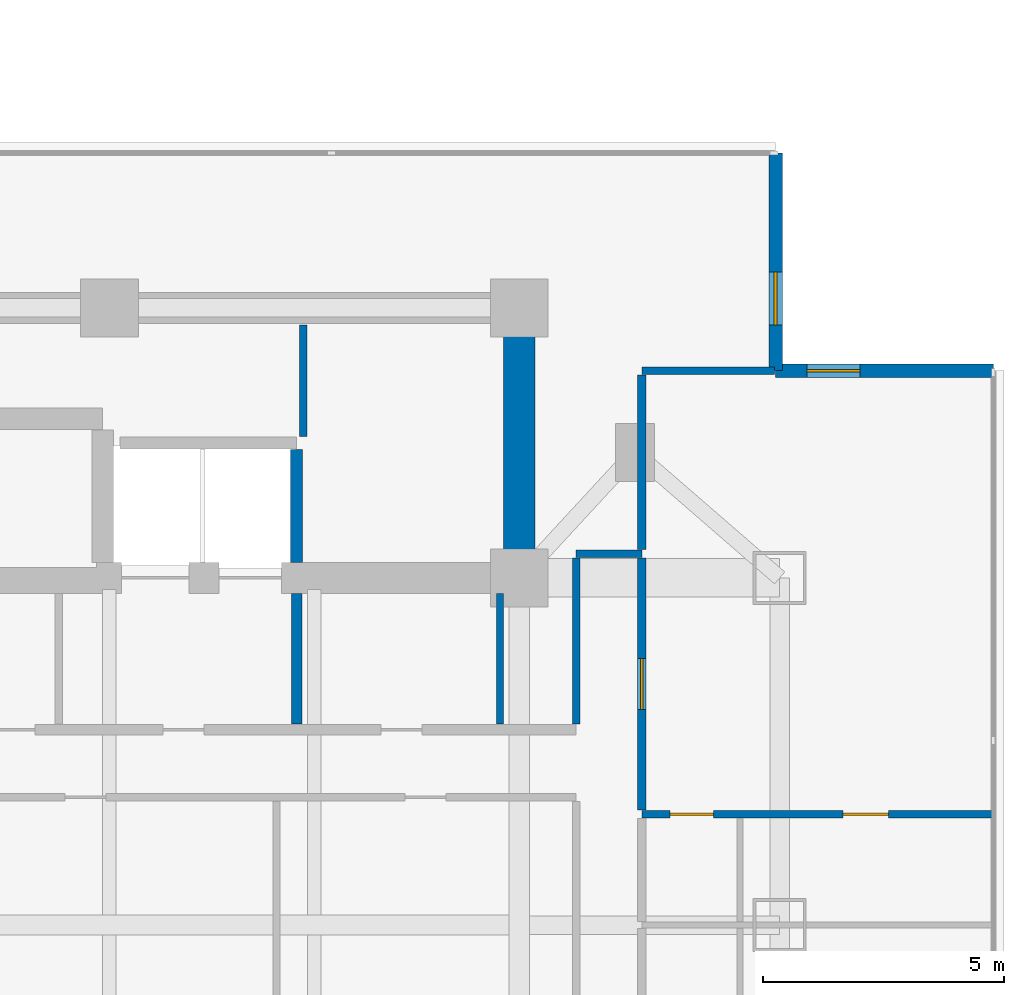
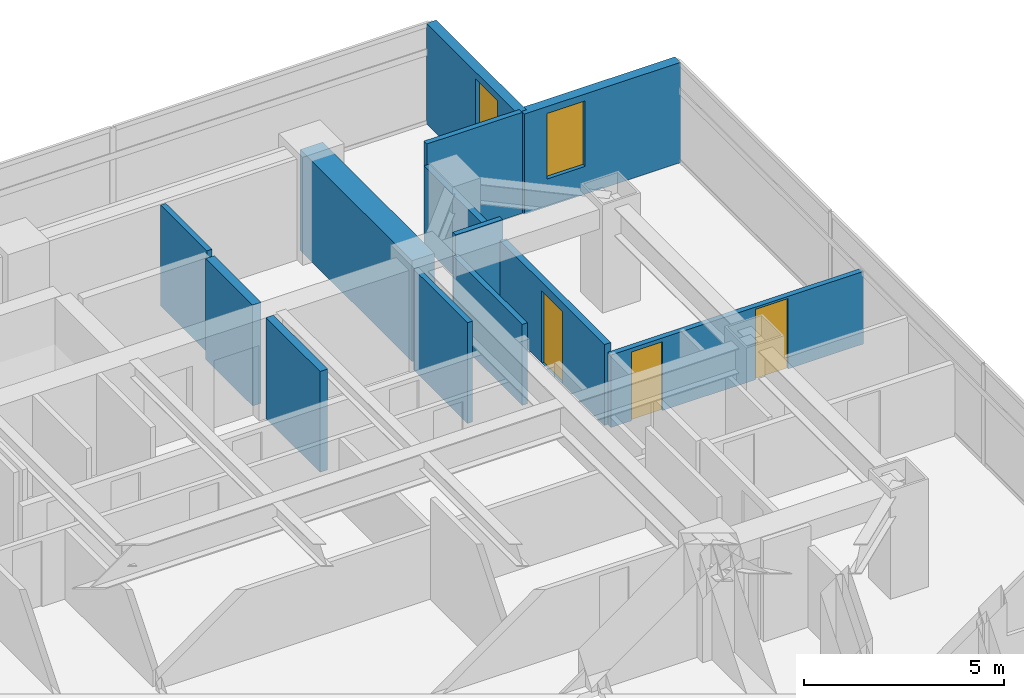
# One storey, part 18 of 25: 13 walls, 3 doors, 2 windows, 5 openings.
"""IFC4 building model written with IfcOpenShell, lengths in metres."""

from ifc_helpers import new_model, si_unit, direction, frame, frame_2d, origin, place, context, subcontext, project, spatial, rectangle, extrude, material, layer, layer_set, type_object, element, fill, save


model = new_model("IFC4")

# Units and contexts
model_context = context("Model", 3, precision=1e-05, world=origin(), true_north=direction((0.0, 1.0)))
body_context = subcontext(model_context, "Body", "Model", "MODEL_VIEW")
ifc_project = project(units=[si_unit("LENGTHUNIT", "METRE"), si_unit("AREAUNIT", "SQUARE_METRE"), si_unit("VOLUMEUNIT", "CUBIC_METRE"), si_unit("PLANEANGLEUNIT", "RADIAN"), si_unit("MASSUNIT", "GRAM", prefix="KILO")], contexts=[model_context])

# Site, building, storey
site_placement = place(None, origin())
site = spatial("IfcSite", under=ifc_project, at=site_placement, CompositionType="ELEMENT")
building_placement = place(site_placement, origin())
building = spatial("IfcBuilding", under=site, at=building_placement, Name="Mirazonda Arch Towers", CompositionType="ELEMENT")
storey_placement = place(building_placement, frame((0.0, 0.0, 104.89990234375)))
storey = spatial("IfcBuildingStorey", under=building, at=storey_placement, Name="L29", CompositionType="ELEMENT", Elevation=104.89990234375)

# Wall
ifc_material_1 = material(Name="Concrete C60/75", Category="concrete")
ifc_layer_1 = layer(ifc_material_1, 0.64990234375, Name="WALL-CORE-650")
ifc_layer_set_1 = layer_set([ifc_layer_1], Name="Concrete C60/75")
wall_type_1 = type_object("IfcWallType", Name="WALL-CORE-650", PredefinedType="SHEAR", material=ifc_layer_set_1)
wall_1_placement = place(storey_placement, frame((85.0, 35.199951171875, 0.0), z_axis=(0.0, 0.0, 1.0), x_axis=(0.0, 1.0, 0.0)))
element("IfcWall", 1, at=wall_1_placement, inside=storey, type_object=wall_type_1, Name="L29 T2N-E Core Shear Wall", PredefinedType="SHEAR", context=body_context, shape_type="SweptSolid", body=[
    extrude(rectangle(XDim=5.60009765625, YDim=0.64990234375, at=frame_2d((2.800048828125, 0.0))), origin(), (0.0, 0.0, 1.0), 3.080078125),
])

# Wall, opening, window
ifc_material_2 = material(Name="Precast Concrete C40/50", Category="concrete")
ifc_layer_2 = layer(ifc_material_2, 0.280029296875, Name="WALL-EXT-WALL-280")
ifc_layer_set_2 = layer_set([ifc_layer_2], Name="Precast Concrete C40/50")
wall_type_2 = type_object("IfcWallType", Name="WALL-EXT-WALL-280", PredefinedType="SOLIDWALL", material=ifc_layer_set_2)
wall_2_placement = place(storey_placement, frame((90.316162109375, 39.497802734375, 0.0), z_axis=(0.0, 0.0, 1.0), x_axis=(0.0, 1.0, 0.0)))
wall_2 = element("IfcWall", 2, at=wall_2_placement, inside=storey, type_object=wall_type_2, Name="L29 T2 Notched NE Corner Wall WL-L29-T2-CNE", PredefinedType="SOLIDWALL", context=body_context, shape_type="SweptSolid", body=[
    extrude(rectangle(XDim=4.51611328125, YDim=0.280029296875, at=frame_2d((2.258056640625, 0.0))), origin(), (0.0, 0.0, 1.0), 3.06005859375),
])
opening_1_placement = place(wall_2_placement, frame((0.949951171875, 0.0, 0.85009765625)))
opening_1 = element("IfcOpeningElement", 3, at=opening_1_placement, cuts=wall_2, Name="Opening WN-108", PredefinedType="OPENING", context=body_context, shape_type="SweptSolid", body=[
    extrude(rectangle(XDim=1.10009765625, YDim=2.0, at=frame_2d((0.550048828125, 1.0))), frame((0.0, 0.14990234375, 0.0), z_axis=(0.0, -1.0, 0.0), x_axis=(1.0, 0.0, 0.0)), (0.0, 0.0, 1.0), 0.300048828125),
])
ifc_material_3 = material(Name="Insulated Low-E Solar Glass", Category="glass")
window_type = type_object("IfcWindowType", Name="WIN-NOTCH-1100x2000", PartitioningType="SINGLE_PANEL", PredefinedType="WINDOW", material=ifc_material_3)
window_1_placement = place(opening_1_placement, origin())
window_1 = element("IfcWindow", 4, at=window_1_placement, inside=storey, type_object=window_type, Name="L29 Punched Facade Window WN-L29-T2-CNE", OverallHeight=2.0, OverallWidth=1.10009765625, PartitioningType="SINGLE_PANEL", PredefinedType="WINDOW", context=body_context, shape_type="SweptSolid", body=[
    extrude(rectangle(XDim=1.10009765625, YDim=2.0, at=frame_2d((0.550048828125, 1.0))), frame((0.0, 0.030029296875, 0.0), z_axis=(0.0, -1.0, 0.0), x_axis=(1.0, 0.0, 0.0)), (0.0, 0.0, 1.0), 0.06005859375),
])
fill(opening_1, window_1)

wall_3_placement = place(storey_placement, frame((94.83251953125, 39.497802734375, 0.0), z_axis=(0.0, 0.0, 1.0), x_axis=(-1.0, 0.0, 0.0)))
wall_3 = element("IfcWall", 5, at=wall_3_placement, inside=storey, type_object=wall_type_2, Name="L29 T2 Corner Notch Return Wall WL-L29-T2-CNE2", PredefinedType="SOLIDWALL", context=body_context, shape_type="SweptSolid", body=[
    extrude(rectangle(XDim=4.516357421875, YDim=0.280029296875, at=frame_2d((2.25830078125, 0.0))), origin(), (0.0, 0.0, 1.0), 3.06005859375),
])
opening_2_placement = place(wall_3_placement, frame((2.76611328125, 0.0, 0.85009765625)))
opening_2 = element("IfcOpeningElement", 6, at=opening_2_placement, cuts=wall_3, Name="Opening WN-108", PredefinedType="OPENING", context=body_context, shape_type="SweptSolid", body=[
    extrude(rectangle(XDim=1.10009765625, YDim=2.0, at=frame_2d((0.550048828125, 1.0))), frame((0.0, 0.14990234375, 0.0), z_axis=(0.0, -1.0, 0.0), x_axis=(1.0, 0.0, 0.0)), (0.0, 0.0, 1.0), 0.300048828125),
])
window_2_placement = place(opening_2_placement, origin())
window_2 = element("IfcWindow", 7, at=window_2_placement, inside=storey, type_object=window_type, Name="L29 Punched Facade Window WN-L29-T2-CNE2", OverallHeight=2.0, OverallWidth=1.10009765625, PartitioningType="SINGLE_PANEL", PredefinedType="WINDOW", context=body_context, shape_type="SweptSolid", body=[
    extrude(rectangle(XDim=1.10009765625, YDim=2.0, at=frame_2d((0.550048828125, 1.0))), frame((0.0, 0.030029296875, 0.0), z_axis=(0.0, -1.0, 0.0), x_axis=(1.0, 0.0, 0.0)), (0.0, 0.0, 1.0), 0.06005859375),
])
fill(opening_2, window_2)

# Wall
ifc_material_4 = material(Name="Concrete C40/50", Category="concrete")
ifc_layer_3 = layer(ifc_material_4, 0.219970703125, Name="WALL-FFL-220")
ifc_layer_set_3 = layer_set([ifc_layer_3], Name="Concrete C40/50")
wall_type_3 = type_object("IfcWallType", Name="WALL-FFL-220", PredefinedType="SOLIDWALL", material=ifc_layer_set_3)
wall_4_placement = place(storey_placement, frame((80.3798828125, 32.169921875, 0.0), z_axis=(0.0, 0.0, 1.0), x_axis=(0.0, 1.0, 0.0)))
element("IfcWall", 8, at=wall_4_placement, inside=storey, type_object=wall_type_3, Name="L29 Interior Partition 160", PredefinedType="SOLIDWALL", context=body_context, shape_type="SweptSolid", body=[
    extrude(rectangle(XDim=2.7099609375, YDim=0.219970703125, at=frame_2d((1.35498046875, 0.0))), origin(), (0.0, 0.0, 1.0), 3.080078125),
])

# Wall, openings, doors
ifc_material_5 = material(Name="Fire-Rated Gypsum Stud Partition")
ifc_layer_4 = layer(ifc_material_5, 0.14990234375, Name="WALL-PART-CORR-150")
ifc_layer_set_4 = layer_set([ifc_layer_4], Name="Fire-Rated Gypsum Stud Partition")
wall_type_4 = type_object("IfcWallType", Name="WALL-PART-CORR-150", PredefinedType="PARTITIONING", material=ifc_layer_set_4)
wall_5_placement = place(storey_placement, frame((87.5400390625, 30.300048828125, 0.0), z_axis=(0.0, 0.0, 1.0), x_axis=(1.0, 0.0, 0.0)))
wall_5 = element("IfcWall", 9, at=wall_5_placement, inside=storey, type_object=wall_type_4, Name="L29 Interior Partition 043", PredefinedType="PARTITIONING", context=body_context, shape_type="SweptSolid", body=[
    extrude(rectangle(XDim=7.2919921875, YDim=0.14990234375, at=frame_2d((3.64599609375, 0.0))), origin(), (0.0, 0.0, 1.0), 2.216064453125),
])
opening_3_placement = place(wall_5_placement, frame((4.1708984375, 0.0, 0.0)))
opening_3 = element("IfcOpeningElement", 10, at=opening_3_placement, cuts=wall_5, Name="Opening DR-104", PredefinedType="OPENING", context=body_context, shape_type="SweptSolid", body=[
    extrude(rectangle(XDim=0.949951171875, YDim=2.14990234375, at=frame_2d((0.47509765625, 1.074951171875))), frame((0.0, 0.0849609375, 0.0), z_axis=(0.0, -1.0, 0.0), x_axis=(1.0, 0.0, 0.0)), (0.0, 0.0, 1.0), 0.169921875),
])
opening_4_placement = place(wall_5_placement, frame((0.590087890625, 0.0, 0.0)))
opening_4 = element("IfcOpeningElement", 11, at=opening_4_placement, cuts=wall_5, Name="Opening DR-120", PredefinedType="OPENING", context=body_context, shape_type="SweptSolid", body=[
    extrude(rectangle(XDim=0.89990234375, YDim=2.10009765625, at=frame_2d((0.449951171875, 1.050048828125))), frame((0.0, 0.0849609375, 0.0), z_axis=(0.0, -1.0, 0.0), x_axis=(1.0, 0.0, 0.0)), (0.0, 0.0, 1.0), 0.169921875),
])
ifc_material_6 = material(Name="Architectural Brushed Steel S355", Category="steel")
door_type_1 = type_object("IfcDoorType", Name="DOOR-ROOM-950", OperationType="NOTDEFINED", PredefinedType="DOOR", material=ifc_material_6)
door_1_placement = place(opening_3_placement, origin())
door_1 = element("IfcDoor", 12, at=door_1_placement, inside=storey, type_object=door_type_1, Name="L29 Guestroom Study 2 Door", OperationType="SINGLE_SWING_RIGHT", OverallHeight=2.14990234375, OverallWidth=0.949951171875, PredefinedType="DOOR", context=body_context, shape_type="SweptSolid", body=[
    extrude(rectangle(XDim=0.949951171875, YDim=2.14990234375, at=frame_2d((0.47509765625, 1.074951171875))), frame((0.0, 0.02490234375, 0.0), z_axis=(0.0, -1.0, 0.0), x_axis=(1.0, 0.0, 0.0)), (0.0, 0.0, 1.0), 0.050048828125),
])
fill(opening_3, door_1)
door_type_2 = type_object("IfcDoorType", Name="DOOR-WC-900", OperationType="NOTDEFINED", PredefinedType="DOOR", material=ifc_material_6)
door_2_placement = place(opening_4_placement, origin())
door_2 = element("IfcDoor", 13, at=door_2_placement, inside=storey, type_object=door_type_2, Name="L29 En-Suite Bathroom 2 Door", OperationType="SINGLE_SWING_LEFT", OverallHeight=2.10009765625, OverallWidth=0.89990234375, PredefinedType="DOOR", context=body_context, shape_type="SweptSolid", body=[
    extrude(rectangle(XDim=0.89990234375, YDim=2.10009765625, at=frame_2d((0.449951171875, 1.050048828125))), frame((0.0, 0.02490234375, 0.0), z_axis=(0.0, -1.0, 0.0), x_axis=(1.0, 0.0, 0.0)), (0.0, 0.0, 1.0), 0.050048828125),
])
fill(opening_4, door_2)

# Walls
wall_6_placement = place(storey_placement, frame((86.179931640625, 35.699951171875, 0.0), z_axis=(0.0, 0.0, 1.0), x_axis=(1.0, 0.0, 0.0)))
element("IfcWall", 14, at=wall_6_placement, inside=storey, type_object=wall_type_4, Name="L29 Interior Partition 056", PredefinedType="PARTITIONING", context=body_context, shape_type="SweptSolid", body=[
    extrude(rectangle(XDim=1.360107421875, YDim=0.14990234375, at=frame_2d((0.68017578125, 0.0))), origin(), (0.0, 0.0, 1.0), 3.080078125),
])
wall_7_placement = place(storey_placement, frame((87.5400390625, 39.498046875, 0.0), z_axis=(0.0, 0.0, 1.0), x_axis=(1.0, 0.0, 0.0)))
element("IfcWall", 15, at=wall_7_placement, inside=storey, type_object=wall_type_4, Name="L29 Interior Partition 061", PredefinedType="PARTITIONING", context=body_context, shape_type="SweptSolid", body=[
    extrude(rectangle(XDim=2.756103515625, YDim=0.14990234375, at=frame_2d((1.3779296875, 0.0))), origin(), (0.0, 0.0, 1.0), 3.080078125),
])
wall_8_placement = place(storey_placement, frame((80.52001953125, 38.135009765625, 0.0), z_axis=(0.0, 0.0, 1.0), x_axis=(0.0, 1.0, 0.0)))
element("IfcWall", 16, at=wall_8_placement, inside=storey, type_object=wall_type_4, Name="L29 Interior Partition 162", PredefinedType="PARTITIONING", context=body_context, shape_type="SweptSolid", body=[
    extrude(rectangle(XDim=2.31494140625, YDim=0.14990234375, at=frame_2d((1.157470703125, 0.0))), origin(), (0.0, 0.0, 1.0), 3.080078125),
])
wall_9_placement = place(storey_placement, frame((84.60009765625, 32.169921875, 0.0), z_axis=(0.0, 0.0, 1.0), x_axis=(0.0, 1.0, 0.0)))
element("IfcWall", 17, at=wall_9_placement, inside=storey, type_object=wall_type_4, Name="L29 Interior Partition 164", PredefinedType="PARTITIONING", context=body_context, shape_type="SweptSolid", body=[
    extrude(rectangle(XDim=2.7099609375, YDim=0.14990234375, at=frame_2d((1.35498046875, 0.0))), origin(), (0.0, 0.0, 1.0), 3.080078125),
])
wall_10_placement = place(storey_placement, frame((86.179931640625, 32.169921875, 0.0), z_axis=(0.0, 0.0, 1.0), x_axis=(0.0, 1.0, 0.0)))
element("IfcWall", 18, at=wall_10_placement, inside=storey, type_object=wall_type_4, Name="L29 Interior Partition 168", PredefinedType="PARTITIONING", context=body_context, shape_type="SweptSolid", body=[
    extrude(rectangle(XDim=3.445068359375, YDim=0.14990234375, at=frame_2d((1.72265625, 0.0))), origin(), (0.0, 0.0, 1.0), 2.47216796875),
])

# Wall, opening, door
ifc_material_7 = material(Name="Fire-Rated Gypsum Twin-Stud Assembly")
ifc_layer_5 = layer(ifc_material_7, 0.179931640625, Name="WALL-PART-DEMISE-180")
ifc_layer_set_5 = layer_set([ifc_layer_5], Name="Fire-Rated Gypsum Twin-Stud Assembly")
wall_type_5 = type_object("IfcWallType", Name="WALL-PART-DEMISE-180", PredefinedType="PARTITIONING", material=ifc_layer_set_5)
wall_11_placement = place(storey_placement, frame((87.5400390625, 30.385009765625, 0.0), z_axis=(0.0, 0.0, 1.0), x_axis=(0.0, 1.0, 0.0)))
wall_11 = element("IfcWall", 19, at=wall_11_placement, inside=storey, type_object=wall_type_5, Name="L29 Interior Partition 173", PredefinedType="PARTITIONING", context=body_context, shape_type="SweptSolid", body=[
    extrude(rectangle(XDim=5.22998046875, YDim=0.179931640625, at=frame_2d((2.614990234375, 0.0))), origin(), (0.0, 0.0, 1.0), 2.47216796875),
])
opening_5_placement = place(wall_11_placement, frame((2.090087890625, 0.0, 0.0)))
opening_5 = element("IfcOpeningElement", 20, at=opening_5_placement, cuts=wall_11, Name="Opening DR-121", PredefinedType="OPENING", context=body_context, shape_type="SweptSolid", body=[
    extrude(rectangle(XDim=1.050048828125, YDim=2.199951171875, at=frame_2d((0.52490234375, 1.10009765625))), frame((0.0, 0.099853515625, 0.0), z_axis=(0.0, -1.0, 0.0), x_axis=(1.0, 0.0, 0.0)), (0.0, 0.0, 1.0), 0.199951171875),
])
door_type_3 = type_object("IfcDoorType", Name="DOOR-SUITE-FD60-1050", OperationType="NOTDEFINED", PredefinedType="DOOR", material=ifc_material_6)
door_3_placement = place(opening_5_placement, origin())
door_3 = element("IfcDoor", 21, at=door_3_placement, inside=storey, type_object=door_type_3, Name="L29 Twin Hotel Guestroom 2 Door", OperationType="SINGLE_SWING_LEFT", OverallHeight=2.199951171875, OverallWidth=1.050048828125, PredefinedType="DOOR", context=body_context, shape_type="SweptSolid", body=[
    extrude(rectangle(XDim=1.050048828125, YDim=2.199951171875, at=frame_2d((0.52490234375, 1.10009765625))), frame((0.0, 0.02490234375, 0.0), z_axis=(0.0, -1.0, 0.0), x_axis=(1.0, 0.0, 0.0)), (0.0, 0.0, 1.0), 0.050048828125),
])
fill(opening_5, door_3)

# Walls
wall_12_placement = place(storey_placement, frame((87.5400390625, 35.784912109375, 0.0), z_axis=(0.0, 0.0, 1.0), x_axis=(0.0, 1.0, 0.0)))
element("IfcWall", 22, at=wall_12_placement, inside=storey, type_object=wall_type_5, Name="L29 Interior Partition 174", PredefinedType="PARTITIONING", context=body_context, shape_type="SweptSolid", body=[
    extrude(rectangle(XDim=3.628173828125, YDim=0.179931640625, at=frame_2d((1.81396484375, 0.0))), origin(), (0.0, 0.0, 1.0), 2.4560546875),
])
ifc_layer_6 = layer(ifc_material_4, 0.25, Name="WALL-SHAFT-250")
ifc_layer_set_6 = layer_set([ifc_layer_6], Name="Concrete C40/50")
wall_type_6 = type_object("IfcWallType", Name="WALL-SHAFT-250", PredefinedType="SOLIDWALL", material=ifc_layer_set_6)
wall_13_placement = place(storey_placement, frame((80.3798828125, 35.52001953125, 0.0), z_axis=(0.0, 0.0, 1.0), x_axis=(0.0, 1.0, 0.0)))
element("IfcWall", 23, at=wall_13_placement, inside=storey, type_object=wall_type_6, Name="L29 Interior Partition 161", PredefinedType="SOLIDWALL", context=body_context, shape_type="SweptSolid", body=[
    extrude(rectangle(XDim=2.344970703125, YDim=0.25, at=frame_2d((1.17236328125, 0.0))), origin(), (0.0, 0.0, 1.0), 3.080078125),
])

save(model, "model.ifc")
